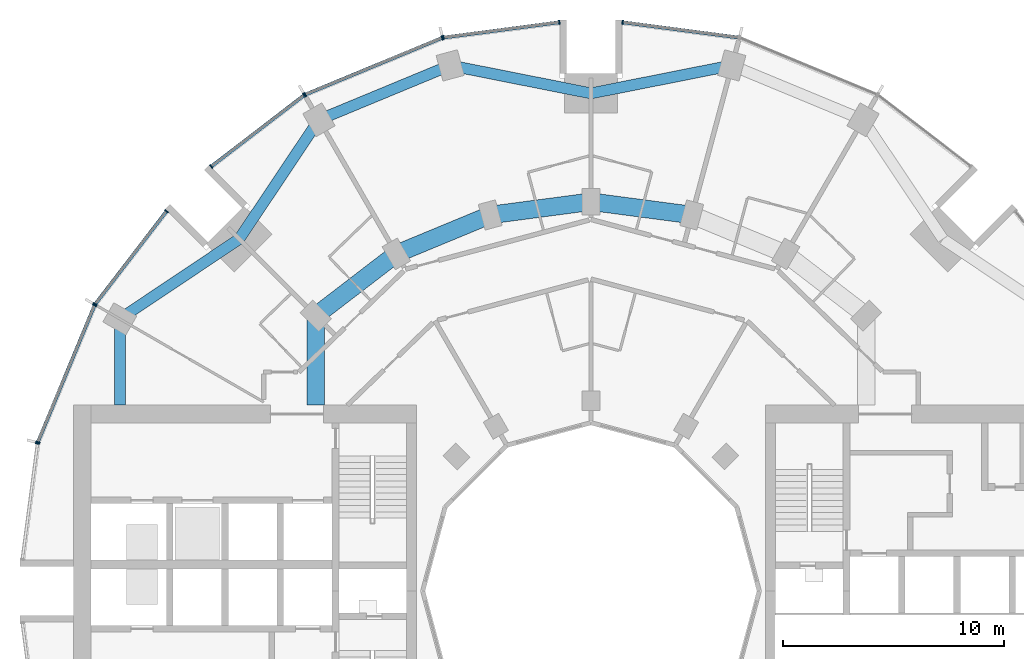
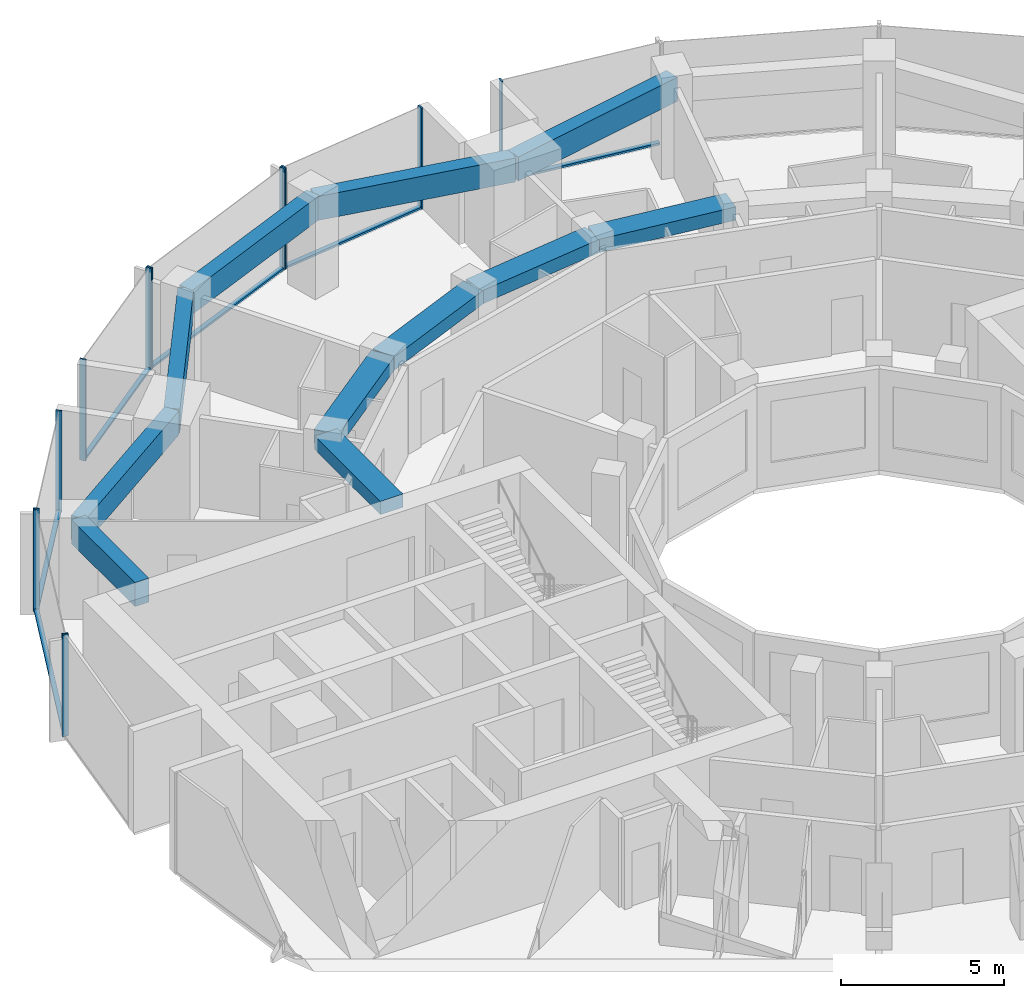
# One storey, part 5 of 15: 18 members, 11 beams, 7 elements without a shape of their own.
"""IFC4 building model written with IfcOpenShell, lengths in metres."""

import ifcopenshell
import ifcopenshell.guid

model = None  # the IFC model being written
_history = None  # IfcOwnerHistory: only IFC2X3 demands one
_inside = {}  # id of a spatial element -> (the spatial element, [elements in it])
_under = {}  # id of a project, library or spatial element -> (it, [spatial elements below it])
_declared = {}  # id of a project -> (the project, [libraries it declares])
_typed = {}  # id of a type object -> (the type object, [elements of that type])
_made_of = {}  # id of a material, layer set ... -> (it, [elements and type objects made of it])


def new_model(schema):
    """Start an empty IFC model of exactly this schema.

    Asked for "IFC4X3", IfcOpenShell would pick the latest addendum, in which some entities
    have other attributes; the version numbers below select the first issue.
    IFC2X3 requires an IfcOwnerHistory on every rooted entity: one is made here for all.
    """
    global model, _history
    if schema == "IFC4X3":
        model = ifcopenshell.file(schema_version=(4, 3, 0, 0))
    else:
        model = ifcopenshell.file(schema=schema)
    _inside.clear()
    _under.clear()
    _declared.clear()
    _typed.clear()
    _made_of.clear()
    _history = None
    if model.schema == "IFC2X3":
        org = make("IfcOrganization", Name="unknown")
        user = make(
            "IfcPersonAndOrganization",
            ThePerson=make("IfcPerson", FamilyName="unknown"),
            TheOrganization=org,
        )
        app = make(
            "IfcApplication",
            ApplicationDeveloper=org,
            Version="unknown",
            ApplicationFullName="unknown",
            ApplicationIdentifier="unknown",
        )
        _history = make(
            "IfcOwnerHistory",
            OwningUser=user,
            OwningApplication=app,
            ChangeAction="ADDED",
            CreationDate=0,
        )
    return model


def make(cls, **values):
    """One entity of the class cls with the attributes given. An attribute that is None is left unset."""
    return model.create_entity(
        cls, **{name: value for name, value in values.items() if value is not None}
    )


def rooted(cls, **values):
    """An entity with a GlobalId (a new one), such as an element, a storey or a relation."""
    return make(cls, GlobalId=ifcopenshell.guid.new(), OwnerHistory=_history, **values)


def si_unit(unit_type, name, prefix=None):
    """IfcSIUnit, for example si_unit("LENGTHUNIT", "METRE", prefix="MILLI")."""
    return make("IfcSIUnit", UnitType=unit_type, Prefix=prefix, Name=name)


def assignment(units):
    """IfcUnitAssignment: the units of a project."""
    return None if units is None else make("IfcUnitAssignment", Units=units)


def point(xyz):
    """IfcCartesianPoint."""
    return None if xyz is None else make("IfcCartesianPoint", Coordinates=xyz)


def direction(xyz):
    """IfcDirection."""
    return None if xyz is None else make("IfcDirection", DirectionRatios=xyz)


def frame(location, z_axis=None, x_axis=None):
    """IfcAxis2Placement3D, a coordinate frame: its origin and axes. An axis left out is left unset."""
    return make(
        "IfcAxis2Placement3D",
        Location=point(location),
        Axis=direction(z_axis),
        RefDirection=direction(x_axis),
    )


def frame_2d(location, x_axis=None):
    """IfcAxis2Placement2D, a coordinate frame in the plane: its origin and x axis."""
    return make(
        "IfcAxis2Placement2D", Location=point(location), RefDirection=direction(x_axis)
    )


def origin():
    """The frame at (0, 0, 0) with its axes left unset."""
    return frame((0.0, 0.0, 0.0))


def origin_2d():
    """The frame at (0, 0) in the plane with its x axis left unset."""
    return frame_2d((0.0, 0.0))


def place(relative_to, where):
    """IfcLocalPlacement: puts the frame where relative to a parent placement (None: the world)."""
    return make(
        "IfcLocalPlacement", PlacementRelTo=relative_to, RelativePlacement=where
    )


def context(
    kind, dimensions, precision=None, world=None, true_north=None, identifier=None
):
    """IfcGeometricRepresentationContext, for example the 3D "Model" context."""
    return make(
        "IfcGeometricRepresentationContext",
        ContextIdentifier=identifier,
        ContextType=kind,
        CoordinateSpaceDimension=dimensions,
        Precision=precision,
        WorldCoordinateSystem=world,
        TrueNorth=true_north,
    )


def subcontext(parent, identifier, kind, view, scale=None):
    """IfcGeometricRepresentationSubContext, for example "Body" below "Model"."""
    return make(
        "IfcGeometricRepresentationSubContext",
        ContextIdentifier=identifier,
        ContextType=kind,
        ParentContext=parent,
        TargetScale=scale,
        TargetView=view,
    )


def project(units=None, contexts=None):
    """IfcProject with its units and contexts."""
    return rooted(
        "IfcProject",
        Name="project",
        RepresentationContexts=contexts,
        UnitsInContext=assignment(units),
    )


def spatial(cls, under=None, at=None, **own):
    """A site, building, storey or space (cls), placed at a placement, below another one or the project."""
    s = rooted(cls, ObjectPlacement=at, **own)
    if under is not None:
        _under.setdefault(under.id(), (under, []))[1].append(s)
    return s


def profile(cls, at=None, kind="AREA", **sizes):
    """A parametric profile (cls). Its sizes go by their IFC names, for example OverallWidth=200.0."""
    return make(cls, ProfileType=kind, Position=at, **sizes)


def rectangle(**sizes):
    """IfcRectangleProfileDef."""
    return profile("IfcRectangleProfileDef", **sizes)


def extrude(swept, where, along, depth):
    """IfcExtrudedAreaSolid: the profile swept, set in the frame where, extruded along a direction by depth."""
    return make(
        "IfcExtrudedAreaSolid",
        SweptArea=swept,
        Position=where,
        ExtrudedDirection=direction(along),
        Depth=depth,
    )


def shape(context_of_items, identifier, shape_type, items):
    """IfcShapeRepresentation: the items that make up one representation, for example the "Body"."""
    return make(
        "IfcShapeRepresentation",
        ContextOfItems=context_of_items,
        RepresentationIdentifier=identifier,
        RepresentationType=shape_type,
        Items=items,
    )


def material(Name=None, Category=None):
    """IfcMaterial."""
    return make("IfcMaterial", Name=Name, Category=Category)


def layer(
    of_material, thickness, ventilated=None, Name=None, Category=None, Priority=None
):
    """IfcMaterialLayer: one layer of a wall or slab, of a material (None: an air gap)."""
    return make(
        "IfcMaterialLayer",
        Material=of_material,
        LayerThickness=thickness,
        IsVentilated=ventilated,
        Name=Name,
        Category=Category,
        Priority=Priority,
    )


def layer_set(layers, Name=None):
    """IfcMaterialLayerSet."""
    return make("IfcMaterialLayerSet", MaterialLayers=layers, LayerSetName=Name)


def material_profile(
    of_material, cross_section, Name=None, Category=None, Priority=None
):
    """IfcMaterialProfile: a cross section and its material."""
    return make(
        "IfcMaterialProfile",
        Name=Name,
        Material=of_material,
        Profile=cross_section,
        Priority=Priority,
        Category=Category,
    )


def profile_set(profiles, Name=None, composite=None):
    """IfcMaterialProfileSet."""
    return make(
        "IfcMaterialProfileSet",
        Name=Name,
        MaterialProfiles=profiles,
        CompositeProfile=composite,
    )


def made_of(thing, what):
    """Note that an element or type object is made of a material, layer set ...; save() writes the relation."""
    if what is not None:
        _made_of.setdefault(what.id(), (what, []))[1].append(thing)
    return thing


def type_object(cls, material=None, **own):
    """A type object (cls), such as IfcWallType, which elements share."""
    return made_of(rooted(cls, **own), material)


def element(
    cls,
    number,
    at=None,
    inside=None,
    cuts=None,
    type_object=None,
    material=None,
    context=None,
    identifier="Body",
    shape_type=None,
    held_by="IfcProductDefinitionShape",
    body=None,
    shapes=None,
    **own,
):
    """One element of the class cls, such as IfcWall. Its Tag is "e" and its number.

    at: its placement. inside: the storey or other place that contains it. cuts: it is an
    opening in that element (IfcRelVoidsElement). A single representation is given by context,
    identifier, shape_type and body (its items); several are given by shapes. held_by: the class
    of the entity that holds the representations. save() writes the other relations.
    """
    e = rooted(cls, Tag="e%d" % number, ObjectPlacement=at, **own)
    if body is not None:
        shapes = [shape(context, identifier, shape_type, body)]
    if shapes is not None:
        e.Representation = make(held_by, Representations=shapes)
    if inside is not None:
        _inside.setdefault(inside.id(), (inside, []))[1].append(e)
    if cuts is not None:
        rooted(
            "IfcRelVoidsElement", RelatingBuildingElement=cuts, RelatedOpeningElement=e
        )
    if type_object is not None:
        _typed.setdefault(type_object.id(), (type_object, []))[1].append(e)
    return made_of(e, material)


def aggregate(whole, parts):
    """IfcRelAggregates: a whole, such as a stair, and the parts it consists of."""
    return rooted("IfcRelAggregates", RelatingObject=whole, RelatedObjects=parts)


def save(model, path):
    """Write the relations noted so far, then the file.

    IfcRelAggregates (storeys below a building ...), IfcRelContainedInSpatialStructure (elements
    in a storey), IfcRelDefinesByType, IfcRelAssociatesMaterial and IfcRelDeclares: one each for
    every whole, place, type object, material and project.
    """
    for whole, parts in _under.values():
        aggregate(whole, parts)
    for where, things in _inside.values():
        rooted(
            "IfcRelContainedInSpatialStructure",
            RelatedElements=things,
            RelatingStructure=where,
        )
    for kind, things in _typed.values():
        rooted("IfcRelDefinesByType", RelatedObjects=things, RelatingType=kind)
    for what, things in _made_of.values():
        rooted("IfcRelAssociatesMaterial", RelatedObjects=things, RelatingMaterial=what)
    for by, libraries in _declared.values():
        rooted("IfcRelDeclares", RelatingContext=by, RelatedDefinitions=libraries)
    model.write(path)


model = new_model("IFC4")

# Units and contexts
model_context = context("Model", 3, precision=1e-05, world=origin(), true_north=direction((0.0, 1.0)))
body_context = subcontext(model_context, "Body", "Model", "MODEL_VIEW")
ifc_project = project(units=[si_unit("LENGTHUNIT", "METRE"), si_unit("AREAUNIT", "SQUARE_METRE"), si_unit("VOLUMEUNIT", "CUBIC_METRE"), si_unit("PLANEANGLEUNIT", "RADIAN"), si_unit("MASSUNIT", "GRAM", prefix="KILO")], contexts=[model_context])

# Site, building, storey
site_placement = place(None, origin())
site = spatial("IfcSite", under=ifc_project, at=site_placement, CompositionType="ELEMENT")
building_placement = place(site_placement, origin())
building = spatial("IfcBuilding", under=site, at=building_placement, Name="Torre Brocal", CompositionType="ELEMENT")
storey_placement = place(building_placement, frame((0.0, 0.0, 55.39990234375)))
storey = spatial("IfcBuildingStorey", under=building, at=storey_placement, Name="L12", CompositionType="ELEMENT", Elevation=55.39990234375)

# Curtain wall, member
ifc_material_1 = material(Name="Aluminium and glass", Category="aluminium")
ifc_layer_1 = layer(ifc_material_1, 0.199951171875)
ifc_layer_set_1 = layer_set([ifc_layer_1], Name="Aluminium and glass")
curtain_wall_type_1 = type_object("IfcCurtainWallType", Name="CW-1 CURTAIN WALL 3800 HIGH", PredefinedType="NOTDEFINED", material=ifc_layer_set_1)
curtain_wall_1_placement = place(storey_placement, origin())
curtain_wall_1 = element("IfcCurtainWall", 1, at=curtain_wall_1_placement, inside=storey, type_object=curtain_wall_type_1, Name="CW-1 RUN 6", PredefinedType="NOTDEFINED")
ifc_material_2 = material(Name="Aluminium, dark anodised", Category="aluminium")
ifc_material_profile_1 = material_profile(ifc_material_2, rectangle(XDim=0.199951171875, YDim=0.06005859375, at=origin_2d()), Name="CW-1 MULLION 60X200")
ifc_profile_set_1 = profile_set([ifc_material_profile_1], Name="Aluminium, dark anodised")
member_type_1 = type_object("IfcMemberType", Name="CW-1 MULLION 60X200", PredefinedType="MULLION", material=ifc_profile_set_1)
member_1_placement = place(storey_placement, frame((81.4296875, 100.7109375, 0.0), z_axis=(0.0, 0.0, 1.0), x_axis=(-0.13052619222, -0.991444861374, 0.0)))
member_1 = element("IfcMember", 2, at=member_1_placement, type_object=member_type_1, Name="CW1-1 mullion 2", PredefinedType="MULLION", context=body_context, shape_type="SweptSolid", body=[
    extrude(rectangle(XDim=0.199951171875, YDim=0.06005859375, at=origin_2d()), origin(), (0.0, 0.0, 1.0), 3.800048828125),
])

# Curtain wall, members
curtain_wall_2_placement = place(storey_placement, origin())
curtain_wall_2 = element("IfcCurtainWall", 3, at=curtain_wall_2_placement, inside=storey, type_object=curtain_wall_type_1, Name="CW-1 RUN 7", PredefinedType="NOTDEFINED")
member_2_placement = place(storey_placement, frame((78.5703125, 100.7109375, 0.0), z_axis=(0.0, 0.0, 1.0), x_axis=(0.13052619222, -0.991444861374, 0.0)))
member_2 = element("IfcMember", 4, at=member_2_placement, type_object=member_type_1, Name="CW1-1 mullion 1", PredefinedType="MULLION", context=body_context, shape_type="SweptSolid", body=[
    extrude(rectangle(XDim=0.199951171875, YDim=0.06005859375, at=origin_2d()), origin(), (0.0, 0.0, 1.0), 3.800048828125),
])
member_3_placement = place(storey_placement, frame((73.32666015625, 100.0205078125, 0.0), z_axis=(0.0, 0.0, 1.0), x_axis=(0.13052619222, -0.991444861374, 0.0)))
member_3 = element("IfcMember", 5, at=member_3_placement, type_object=member_type_1, Name="CW1-1 mullion 2", PredefinedType="MULLION", context=body_context, shape_type="SweptSolid", body=[
    extrude(rectangle(XDim=0.199951171875, YDim=0.06005859375, at=origin_2d()), origin(), (0.0, 0.0, 1.0), 3.800048828125),
])

curtain_wall_3_placement = place(storey_placement, origin())
curtain_wall_3 = element("IfcCurtainWall", 6, at=curtain_wall_3_placement, inside=storey, type_object=curtain_wall_type_1, Name="CW-1 RUN 8", PredefinedType="NOTDEFINED")
member_4_placement = place(storey_placement, frame((73.26904296875, 100.005126953125, 0.0), z_axis=(0.0, 0.0, 1.0), x_axis=(0.382683432333, -0.923879532525, 0.0)))
member_4 = element("IfcMember", 7, at=member_4_placement, type_object=member_type_1, Name="CW1-1 mullion 1", PredefinedType="MULLION", context=body_context, shape_type="SweptSolid", body=[
    extrude(rectangle(XDim=0.199951171875, YDim=0.06005859375, at=origin_2d()), origin(), (0.0, 0.0, 1.0), 3.800048828125),
])
member_5_placement = place(storey_placement, frame((67.078125, 97.440673828125, 0.0), z_axis=(0.0, 0.0, 1.0), x_axis=(0.382683432333, -0.923879532525, 0.0)))
member_5 = element("IfcMember", 8, at=member_5_placement, type_object=member_type_1, Name="CW1-1 mullion 2", PredefinedType="MULLION", context=body_context, shape_type="SweptSolid", body=[
    extrude(rectangle(XDim=0.199951171875, YDim=0.06005859375, at=origin_2d()), origin(), (0.0, 0.0, 1.0), 3.800048828125),
])

curtain_wall_4_placement = place(storey_placement, origin())
curtain_wall_4 = element("IfcCurtainWall", 9, at=curtain_wall_4_placement, inside=storey, type_object=curtain_wall_type_1, Name="CW-1 RUN 9", PredefinedType="NOTDEFINED")
member_6_placement = place(storey_placement, frame((67.026611328125, 97.4111328125, 0.0), z_axis=(0.0, 0.0, 1.0), x_axis=(0.60876142905, -0.793353340259, 0.0)))
member_6 = element("IfcMember", 10, at=member_6_placement, type_object=member_type_1, Name="CW1-1 mullion 1", PredefinedType="MULLION", context=body_context, shape_type="SweptSolid", body=[
    extrude(rectangle(XDim=0.199951171875, YDim=0.06005859375, at=origin_2d()), origin(), (0.0, 0.0, 1.0), 3.800048828125),
])
member_7_placement = place(storey_placement, frame((62.83056640625, 94.19140625, 0.0), z_axis=(0.0, 0.0, 1.0), x_axis=(0.60876142905, -0.793353340259, 0.0)))
member_7 = element("IfcMember", 11, at=member_7_placement, type_object=member_type_1, Name="CW1-1 mullion 2", PredefinedType="MULLION", context=body_context, shape_type="SweptSolid", body=[
    extrude(rectangle(XDim=0.199951171875, YDim=0.06005859375, at=origin_2d()), origin(), (0.0, 0.0, 1.0), 3.800048828125),
])

curtain_wall_5_placement = place(storey_placement, origin())
curtain_wall_5 = element("IfcCurtainWall", 12, at=curtain_wall_5_placement, inside=storey, type_object=curtain_wall_type_1, Name="CW-1 RUN 10", PredefinedType="NOTDEFINED")
member_8_placement = place(storey_placement, frame((60.80859375, 92.16943359375, 0.0), z_axis=(0.0, 0.0, 1.0), x_axis=(0.793353340259, -0.60876142905, 0.0)))
member_8 = element("IfcMember", 13, at=member_8_placement, type_object=member_type_1, Name="CW1-1 mullion 1", PredefinedType="MULLION", context=body_context, shape_type="SweptSolid", body=[
    extrude(rectangle(XDim=0.199951171875, YDim=0.06005859375, at=origin_2d()), origin(), (0.0, 0.0, 1.0), 3.800048828125),
])
member_9_placement = place(storey_placement, frame((57.5888671875, 87.973388671875, 0.0), z_axis=(0.0, 0.0, 1.0), x_axis=(0.793353340259, -0.60876142905, 0.0)))
member_9 = element("IfcMember", 14, at=member_9_placement, type_object=member_type_1, Name="CW1-1 mullion 2", PredefinedType="MULLION", context=body_context, shape_type="SweptSolid", body=[
    extrude(rectangle(XDim=0.199951171875, YDim=0.06005859375, at=origin_2d()), origin(), (0.0, 0.0, 1.0), 3.800048828125),
])

curtain_wall_6_placement = place(storey_placement, origin())
curtain_wall_6 = element("IfcCurtainWall", 15, at=curtain_wall_6_placement, inside=storey, type_object=curtain_wall_type_1, Name="CW-1 RUN 11", PredefinedType="NOTDEFINED")
member_10_placement = place(storey_placement, frame((57.559326171875, 87.921875, 0.0), z_axis=(0.0, 0.0, 1.0), x_axis=(0.923879532525, -0.382683432333, 0.0)))
member_10 = element("IfcMember", 16, at=member_10_placement, type_object=member_type_1, Name="CW1-1 mullion 1", PredefinedType="MULLION", context=body_context, shape_type="SweptSolid", body=[
    extrude(rectangle(XDim=0.199951171875, YDim=0.06005859375, at=origin_2d()), origin(), (0.0, 0.0, 1.0), 3.800048828125),
])
member_11_placement = place(storey_placement, frame((54.994873046875, 81.73095703125, 0.0), z_axis=(0.0, 0.0, 1.0), x_axis=(0.923879532525, -0.382683432333, 0.0)))
member_11 = element("IfcMember", 17, at=member_11_placement, type_object=member_type_1, Name="CW1-1 mullion 2", PredefinedType="MULLION", context=body_context, shape_type="SweptSolid", body=[
    extrude(rectangle(XDim=0.199951171875, YDim=0.06005859375, at=origin_2d()), origin(), (0.0, 0.0, 1.0), 3.800048828125),
])

# Member
ifc_material_3 = material(Name="Aluminium, dark anodised", Category="aluminium")
ifc_material_profile_2 = material_profile(ifc_material_3, rectangle(XDim=0.159912109375, YDim=0.080078125, at=origin_2d()), Name="CW-1 TRANSOM 160X80")
ifc_profile_set_2 = profile_set([ifc_material_profile_2], Name="Aluminium, dark anodised")
member_type_2 = type_object("IfcMemberType", Name="CW-1 TRANSOM 160X80", PredefinedType="USERDEFINED", material=ifc_profile_set_2)
member_12_placement = place(storey_placement, frame((86.643798828125, 100.0244140625, 0.0400390625), z_axis=(-0.991442690863, 0.130542677827, 0.0), x_axis=(-0.130542677827, -0.991442690863, 0.0)))
member_12 = element("IfcMember", 18, at=member_12_placement, type_object=member_type_2, Name="CW1-1 transom 1.1", ObjectType="TRANSOM", PredefinedType="USERDEFINED", context=body_context, shape_type="SweptSolid", body=[
    extrude(rectangle(XDim=0.159912109375, YDim=0.080078125, at=origin_2d()), origin(), (0.0, 0.0, 1.0), 5.22900390625),
])

aggregate(curtain_wall_1, [member_1, member_12])

member_13_placement = place(storey_placement, frame((78.54052734375, 100.70703125, 0.0400390625), z_axis=(-0.991442690863, -0.130542677827, 0.0), x_axis=(0.130542677827, -0.991442690863, 0.0)))
member_13 = element("IfcMember", 19, at=member_13_placement, type_object=member_type_2, Name="CW1-1 transom 1.1", ObjectType="TRANSOM", PredefinedType="USERDEFINED", context=body_context, shape_type="SweptSolid", body=[
    extrude(rectangle(XDim=0.159912109375, YDim=0.080078125, at=origin_2d()), origin(), (0.0, 0.0, 1.0), 5.22900390625),
])

aggregate(curtain_wall_2, [member_2, member_3, member_13])

member_14_placement = place(storey_placement, frame((73.241455078125, 99.99365234375, 0.0400390625), z_axis=(-0.923887344364, -0.38266457234, 0.0), x_axis=(0.38266457234, -0.923887344364, 0.0)))
member_14 = element("IfcMember", 20, at=member_14_placement, type_object=member_type_2, Name="CW1-1 transom 1.1", ObjectType="TRANSOM", PredefinedType="USERDEFINED", context=body_context, shape_type="SweptSolid", body=[
    extrude(rectangle(XDim=0.159912109375, YDim=0.080078125, at=origin_2d()), origin(), (0.0, 0.0, 1.0), 6.640869140625),
])

aggregate(curtain_wall_3, [member_4, member_5, member_14])

member_15_placement = place(storey_placement, frame((67.0029296875, 97.392822265625, 0.0400390625), z_axis=(-0.79336281513, -0.60874908096, 0.0), x_axis=(0.60874908096, -0.79336281513, 0.0)))
member_15 = element("IfcMember", 21, at=member_15_placement, type_object=member_type_2, Name="CW1-1 transom 1.1", ObjectType="TRANSOM", PredefinedType="USERDEFINED", context=body_context, shape_type="SweptSolid", body=[
    extrude(rectangle(XDim=0.159912109375, YDim=0.080078125, at=origin_2d()), origin(), (0.0, 0.0, 1.0), 5.22900390625),
])

aggregate(curtain_wall_4, [member_6, member_7, member_15])

member_16_placement = place(storey_placement, frame((60.790283203125, 92.1455078125, 0.0400390625), z_axis=(-0.60874908096, -0.79336281513, 0.0), x_axis=(0.79336281513, -0.60874908096, 0.0)))
member_16 = element("IfcMember", 22, at=member_16_placement, type_object=member_type_2, Name="CW1-1 transom 1.1", ObjectType="TRANSOM", PredefinedType="USERDEFINED", context=body_context, shape_type="SweptSolid", body=[
    extrude(rectangle(XDim=0.159912109375, YDim=0.080078125, at=origin_2d()), origin(), (0.0, 0.0, 1.0), 5.22900390625),
])

aggregate(curtain_wall_5, [member_8, member_9, member_16])

member_17_placement = place(storey_placement, frame((57.547607421875, 87.89404296875, 0.0400390625), z_axis=(-0.38266457234, -0.923887344364, 0.0), x_axis=(0.923887344364, -0.38266457234, 0.0)))
member_17 = element("IfcMember", 23, at=member_17_placement, type_object=member_type_2, Name="CW1-1 transom 1.1", ObjectType="TRANSOM", PredefinedType="USERDEFINED", context=body_context, shape_type="SweptSolid", body=[
    extrude(rectangle(XDim=0.159912109375, YDim=0.080078125, at=origin_2d()), origin(), (0.0, 0.0, 1.0), 6.640869140625),
])

aggregate(curtain_wall_6, [member_10, member_11, member_17])

# Curtain wall, member
ifc_material_4 = material(Name="Aluminium and glass", Category="aluminium")
ifc_layer_2 = layer(ifc_material_4, 0.199951171875)
ifc_layer_set_2 = layer_set([ifc_layer_2], Name="Aluminium and glass")
curtain_wall_type_2 = type_object("IfcCurtainWallType", Name="CW-1B CURTAIN WALL 3800 HIGH", PredefinedType="NOTDEFINED", material=ifc_layer_set_2)
curtain_wall_7_placement = place(storey_placement, origin())
curtain_wall_7 = element("IfcCurtainWall", 24, at=curtain_wall_7_placement, inside=storey, type_object=curtain_wall_type_2, Name="CW-1B RUN 12", PredefinedType="NOTDEFINED")
ifc_material_5 = material(Name="Aluminium, dark anodised", Category="aluminium")
ifc_material_profile_3 = material_profile(ifc_material_5, rectangle(XDim=0.199951171875, YDim=0.06005859375, at=origin_2d()), Name="CW-1B MULLION 60X200")
ifc_profile_set_3 = profile_set([ifc_material_profile_3], Name="Aluminium, dark anodised")
member_type_3 = type_object("IfcMemberType", Name="CW-1B MULLION 60X200", PredefinedType="MULLION", material=ifc_profile_set_3)
member_18_placement = place(storey_placement, frame((54.9794921875, 81.67333984375, 0.0), z_axis=(0.0, 0.0, 1.0), x_axis=(0.991444861374, -0.13052619222, 0.0)))
member_18 = element("IfcMember", 25, at=member_18_placement, type_object=member_type_3, Name="CW1B-1 mullion 1", PredefinedType="MULLION", context=body_context, shape_type="SweptSolid", body=[
    extrude(rectangle(XDim=0.199951171875, YDim=0.06005859375, at=origin_2d()), origin(), (0.0, 0.0, 1.0), 3.800048828125),
])
aggregate(curtain_wall_7, [member_18])

# Beams
ifc_material_6 = material(Name="Concrete C50", Category="concrete")
ifc_material_profile_4 = material_profile(ifc_material_6, rectangle(XDim=0.800048828125, YDim=0.5, at=origin_2d()), Name="RC 800X500")
ifc_profile_set_4 = profile_set([ifc_material_profile_4], Name="Concrete C50")
beam_type_1 = type_object("IfcBeamType", Name="RC BEAM 800X500 C50 TOP 3480", PredefinedType="BEAM", material=ifc_profile_set_4)
for number, where, z_axis, x_axis, name in (
    (26, (84.55517578125, 92.000244140625, 3.22998046875), (-0.991440544449, 0.130558978332, 0.0), (-0.130558978332, -0.991440544449, 0.0), "Beam BT-19"),
    (27, (80.0, 92.60009765625, 3.22998046875), (-0.991440544449, -0.130558978332, 0.0), (0.130558978332, -0.991440544449, 0.0), "Beam BT-19"),
):
    element("IfcBeam", number, at=place(storey_placement, frame(where, z_axis=z_axis, x_axis=x_axis)), inside=storey, type_object=beam_type_1, Name=name, PredefinedType="BEAM", context=body_context, shape_type="SweptSolid", body=[
        extrude(rectangle(XDim=0.800048828125, YDim=0.5, at=origin_2d()), origin(), (0.0, 0.0, 1.0), 4.594482421875),
    ])
beam_1_placement = place(storey_placement, frame((75.44482421875, 92.000244140625, 3.22998046875), z_axis=(-0.923878240166, -0.382686552348, 0.0), x_axis=(0.382686552348, -0.923878240166, 0.0)))
element("IfcBeam", 28, at=beam_1_placement, inside=storey, type_object=beam_type_1, Name="Beam BT-19", PredefinedType="BEAM", context=body_context, shape_type="SweptSolid", body=[
    extrude(rectangle(XDim=0.800048828125, YDim=0.5, at=origin_2d()), origin(), (0.0, 0.0, 1.0), 4.5947265625),
])
beam_2_placement = place(storey_placement, frame((71.199951171875, 90.241943359375, 3.22998046875), z_axis=(-0.793358265959, -0.6087550097, 0.0), x_axis=(0.6087550097, -0.793358265959, 0.0)))
element("IfcBeam", 29, at=beam_2_placement, inside=storey, type_object=beam_type_1, Name="Beam BT-19", PredefinedType="BEAM", context=body_context, shape_type="SweptSolid", body=[
    extrude(rectangle(XDim=0.800048828125, YDim=0.5, at=origin_2d()), origin(), (0.0, 0.0, 1.0), 4.594482421875),
])
beam_3_placement = place(storey_placement, frame((67.554931640625, 87.445068359375, 3.22998046875), z_axis=(0.0, -1.0, 0.0), x_axis=(1.0, 0.0, 0.0)))
element("IfcBeam", 30, at=beam_3_placement, inside=storey, type_object=beam_type_1, Name="Beam BT-19", PredefinedType="BEAM", context=body_context, shape_type="SweptSolid", body=[
    extrude(rectangle(XDim=0.800048828125, YDim=0.5, at=origin_2d()), origin(), (0.0, 0.0, 1.0), 4.045166015625),
])
ifc_material_7 = material(Name="Concrete C50", Category="concrete")
ifc_material_profile_5 = material_profile(ifc_material_7, rectangle(XDim=0.5, YDim=0.89990234375, at=origin_2d()), Name="RC 500X900")
ifc_profile_set_5 = profile_set([ifc_material_profile_5], Name="Concrete C50")
beam_type_2 = type_object("IfcBeamType", Name="RC SPANDREL BEAM 500X900 C50 TOP 3480", PredefinedType="SPANDREL", material=ifc_profile_set_5)
for number, where, z_axis, x_axis, name in (
    (31, (86.366943359375, 98.76171875, 3.030029296875), (-0.980924907484, -0.194387051723, 0.0), (0.194387051723, -0.980924907484, 0.0), "Beam BT-20"),
    (32, (80.0, 97.5, 3.030029296875), (-0.980924907484, 0.194387051723, 0.0), (-0.194387051723, -0.980924907484, 0.0), "Beam BT-20"),
):
    element("IfcBeam", number, at=place(storey_placement, frame(where, z_axis=z_axis, x_axis=x_axis)), inside=storey, type_object=beam_type_2, Name=name, PredefinedType="SPANDREL", context=body_context, shape_type="SweptSolid", body=[
        extrude(rectangle(XDim=0.5, YDim=0.89990234375, at=origin_2d()), origin(), (0.0, 0.0, 1.0), 6.49072265625),
    ])
beam_4_placement = place(storey_placement, frame((73.633056640625, 98.76171875, 3.030029296875), z_axis=(-0.923882462513, -0.382676358639, 0.0), x_axis=(0.382676358639, -0.923882462513, 0.0)))
element("IfcBeam", 33, at=beam_4_placement, inside=storey, type_object=beam_type_2, Name="Beam BT-20", PredefinedType="SPANDREL", context=body_context, shape_type="SweptSolid", body=[
    extrude(rectangle(XDim=0.5, YDim=0.89990234375, at=origin_2d()), origin(), (0.0, 0.0, 1.0), 6.421875),
])
for number, where, z_axis, x_axis, name in (
    (34, (67.699951171875, 96.30419921875, 3.030029296875), (-0.556157602282, -0.831076844476, 0.0), (0.831076844476, -0.556157602282, 0.0), "Beam BT-20"),
    (35, (64.090087890625, 90.909912109375, 3.030029296875), (-0.831076844476, -0.556157602282, 0.0), (0.556157602282, -0.831076844476, 0.0), "Beam BT-20"),
):
    element("IfcBeam", number, at=place(storey_placement, frame(where, z_axis=z_axis, x_axis=x_axis)), inside=storey, type_object=beam_type_2, Name=name, PredefinedType="SPANDREL", context=body_context, shape_type="SweptSolid", body=[
        extrude(rectangle(XDim=0.5, YDim=0.89990234375, at=origin_2d()), origin(), (0.0, 0.0, 1.0), 6.49072265625),
    ])
beam_5_placement = place(storey_placement, frame((58.69580078125, 87.300048828125, 3.030029296875), z_axis=(0.0, -1.0, 0.0), x_axis=(1.0, 0.0, 0.0)))
element("IfcBeam", 36, at=beam_5_placement, inside=storey, type_object=beam_type_2, Name="Beam BT-20", PredefinedType="SPANDREL", context=body_context, shape_type="SweptSolid", body=[
    extrude(rectangle(XDim=0.5, YDim=0.89990234375, at=origin_2d()), origin(), (0.0, 0.0, 1.0), 3.900146484375),
])

save(model, "model.ifc")
